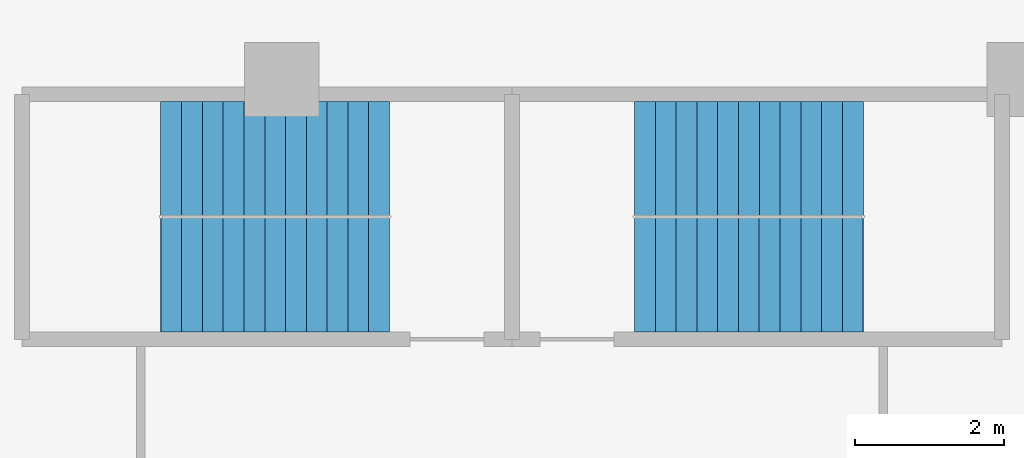
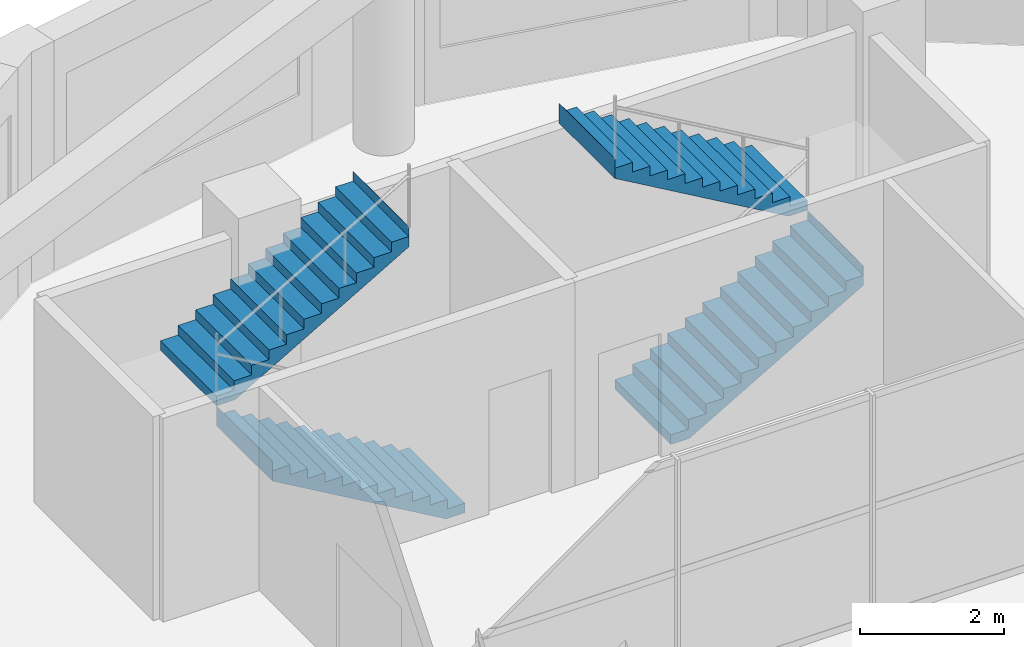
# One storey, part 9 of 11: 4 stair flights, 2 elements without a shape of their own.
"""IFC4 building model written with IfcOpenShell, lengths in metres."""

import ifcopenshell
import ifcopenshell.guid

model = None  # the IFC model being written
_history = None  # IfcOwnerHistory: only IFC2X3 demands one
_inside = {}  # id of a spatial element -> (the spatial element, [elements in it])
_under = {}  # id of a project, library or spatial element -> (it, [spatial elements below it])
_declared = {}  # id of a project -> (the project, [libraries it declares])
_typed = {}  # id of a type object -> (the type object, [elements of that type])
_made_of = {}  # id of a material, layer set ... -> (it, [elements and type objects made of it])


def new_model(schema):
    """Start an empty IFC model of exactly this schema.

    Asked for "IFC4X3", IfcOpenShell would pick the latest addendum, in which some entities
    have other attributes; the version numbers below select the first issue.
    IFC2X3 requires an IfcOwnerHistory on every rooted entity: one is made here for all.
    """
    global model, _history
    if schema == "IFC4X3":
        model = ifcopenshell.file(schema_version=(4, 3, 0, 0))
    else:
        model = ifcopenshell.file(schema=schema)
    _inside.clear()
    _under.clear()
    _declared.clear()
    _typed.clear()
    _made_of.clear()
    _history = None
    if model.schema == "IFC2X3":
        org = make("IfcOrganization", Name="unknown")
        user = make(
            "IfcPersonAndOrganization",
            ThePerson=make("IfcPerson", FamilyName="unknown"),
            TheOrganization=org,
        )
        app = make(
            "IfcApplication",
            ApplicationDeveloper=org,
            Version="unknown",
            ApplicationFullName="unknown",
            ApplicationIdentifier="unknown",
        )
        _history = make(
            "IfcOwnerHistory",
            OwningUser=user,
            OwningApplication=app,
            ChangeAction="ADDED",
            CreationDate=0,
        )
    return model


def make(cls, **values):
    """One entity of the class cls with the attributes given. An attribute that is None is left unset."""
    return model.create_entity(
        cls, **{name: value for name, value in values.items() if value is not None}
    )


def rooted(cls, **values):
    """An entity with a GlobalId (a new one), such as an element, a storey or a relation."""
    return make(cls, GlobalId=ifcopenshell.guid.new(), OwnerHistory=_history, **values)


def si_unit(unit_type, name, prefix=None):
    """IfcSIUnit, for example si_unit("LENGTHUNIT", "METRE", prefix="MILLI")."""
    return make("IfcSIUnit", UnitType=unit_type, Prefix=prefix, Name=name)


def assignment(units):
    """IfcUnitAssignment: the units of a project."""
    return None if units is None else make("IfcUnitAssignment", Units=units)


def point(xyz):
    """IfcCartesianPoint."""
    return None if xyz is None else make("IfcCartesianPoint", Coordinates=xyz)


def direction(xyz):
    """IfcDirection."""
    return None if xyz is None else make("IfcDirection", DirectionRatios=xyz)


def frame(location, z_axis=None, x_axis=None):
    """IfcAxis2Placement3D, a coordinate frame: its origin and axes. An axis left out is left unset."""
    return make(
        "IfcAxis2Placement3D",
        Location=point(location),
        Axis=direction(z_axis),
        RefDirection=direction(x_axis),
    )


def origin():
    """The frame at (0, 0, 0) with its axes left unset."""
    return frame((0.0, 0.0, 0.0))


def place(relative_to, where):
    """IfcLocalPlacement: puts the frame where relative to a parent placement (None: the world)."""
    return make(
        "IfcLocalPlacement", PlacementRelTo=relative_to, RelativePlacement=where
    )


def context(
    kind, dimensions, precision=None, world=None, true_north=None, identifier=None
):
    """IfcGeometricRepresentationContext, for example the 3D "Model" context."""
    return make(
        "IfcGeometricRepresentationContext",
        ContextIdentifier=identifier,
        ContextType=kind,
        CoordinateSpaceDimension=dimensions,
        Precision=precision,
        WorldCoordinateSystem=world,
        TrueNorth=true_north,
    )


def subcontext(parent, identifier, kind, view, scale=None):
    """IfcGeometricRepresentationSubContext, for example "Body" below "Model"."""
    return make(
        "IfcGeometricRepresentationSubContext",
        ContextIdentifier=identifier,
        ContextType=kind,
        ParentContext=parent,
        TargetScale=scale,
        TargetView=view,
    )


def project(units=None, contexts=None):
    """IfcProject with its units and contexts."""
    return rooted(
        "IfcProject",
        Name="project",
        RepresentationContexts=contexts,
        UnitsInContext=assignment(units),
    )


def spatial(cls, under=None, at=None, **own):
    """A site, building, storey or space (cls), placed at a placement, below another one or the project."""
    s = rooted(cls, ObjectPlacement=at, **own)
    if under is not None:
        _under.setdefault(under.id(), (under, []))[1].append(s)
    return s


def polyline(points):
    """IfcPolyline through the points."""
    return make("IfcPolyline", Points=[point(p) for p in points])


def outline(outer, holes=None, kind="AREA"):
    """IfcArbitraryClosedProfileDef: a profile drawn as a closed curve; with holes, ...WithVoids."""
    if holes is None:
        return make("IfcArbitraryClosedProfileDef", ProfileType=kind, OuterCurve=outer)
    return make(
        "IfcArbitraryProfileDefWithVoids",
        ProfileType=kind,
        OuterCurve=outer,
        InnerCurves=holes,
    )


def extrude(swept, where, along, depth):
    """IfcExtrudedAreaSolid: the profile swept, set in the frame where, extruded along a direction by depth."""
    return make(
        "IfcExtrudedAreaSolid",
        SweptArea=swept,
        Position=where,
        ExtrudedDirection=direction(along),
        Depth=depth,
    )


def shape(context_of_items, identifier, shape_type, items):
    """IfcShapeRepresentation: the items that make up one representation, for example the "Body"."""
    return make(
        "IfcShapeRepresentation",
        ContextOfItems=context_of_items,
        RepresentationIdentifier=identifier,
        RepresentationType=shape_type,
        Items=items,
    )


def material(Name=None, Category=None):
    """IfcMaterial."""
    return make("IfcMaterial", Name=Name, Category=Category)


def made_of(thing, what):
    """Note that an element or type object is made of a material, layer set ...; save() writes the relation."""
    if what is not None:
        _made_of.setdefault(what.id(), (what, []))[1].append(thing)
    return thing


def type_object(cls, material=None, **own):
    """A type object (cls), such as IfcWallType, which elements share."""
    return made_of(rooted(cls, **own), material)


def element(
    cls,
    number,
    at=None,
    inside=None,
    cuts=None,
    type_object=None,
    material=None,
    context=None,
    identifier="Body",
    shape_type=None,
    held_by="IfcProductDefinitionShape",
    body=None,
    shapes=None,
    **own,
):
    """One element of the class cls, such as IfcWall. Its Tag is "e" and its number.

    at: its placement. inside: the storey or other place that contains it. cuts: it is an
    opening in that element (IfcRelVoidsElement). A single representation is given by context,
    identifier, shape_type and body (its items); several are given by shapes. held_by: the class
    of the entity that holds the representations. save() writes the other relations.
    """
    e = rooted(cls, Tag="e%d" % number, ObjectPlacement=at, **own)
    if body is not None:
        shapes = [shape(context, identifier, shape_type, body)]
    if shapes is not None:
        e.Representation = make(held_by, Representations=shapes)
    if inside is not None:
        _inside.setdefault(inside.id(), (inside, []))[1].append(e)
    if cuts is not None:
        rooted(
            "IfcRelVoidsElement", RelatingBuildingElement=cuts, RelatedOpeningElement=e
        )
    if type_object is not None:
        _typed.setdefault(type_object.id(), (type_object, []))[1].append(e)
    return made_of(e, material)


def aggregate(whole, parts):
    """IfcRelAggregates: a whole, such as a stair, and the parts it consists of."""
    return rooted("IfcRelAggregates", RelatingObject=whole, RelatedObjects=parts)


def save(model, path):
    """Write the relations noted so far, then the file.

    IfcRelAggregates (storeys below a building ...), IfcRelContainedInSpatialStructure (elements
    in a storey), IfcRelDefinesByType, IfcRelAssociatesMaterial and IfcRelDeclares: one each for
    every whole, place, type object, material and project.
    """
    for whole, parts in _under.values():
        aggregate(whole, parts)
    for where, things in _inside.values():
        rooted(
            "IfcRelContainedInSpatialStructure",
            RelatedElements=things,
            RelatingStructure=where,
        )
    for kind, things in _typed.values():
        rooted("IfcRelDefinesByType", RelatedObjects=things, RelatingType=kind)
    for what, things in _made_of.values():
        rooted("IfcRelAssociatesMaterial", RelatedObjects=things, RelatingMaterial=what)
    for by, libraries in _declared.values():
        rooted("IfcRelDeclares", RelatingContext=by, RelatedDefinitions=libraries)
    model.write(path)


model = new_model("IFC4")

# Units and contexts
model_context = context("Model", 3, precision=1e-05, world=origin(), true_north=direction((0.0, 1.0)))
body_context = subcontext(model_context, "Body", "Model", "MODEL_VIEW")
ifc_project = project(units=[si_unit("LENGTHUNIT", "METRE"), si_unit("AREAUNIT", "SQUARE_METRE"), si_unit("VOLUMEUNIT", "CUBIC_METRE"), si_unit("PLANEANGLEUNIT", "RADIAN"), si_unit("MASSUNIT", "GRAM", prefix="KILO")], contexts=[model_context])

# Site, building, storey
site_placement = place(None, origin())
site = spatial("IfcSite", under=ifc_project, at=site_placement, CompositionType="ELEMENT")
building_placement = place(site_placement, origin())
building = spatial("IfcBuilding", under=site, at=building_placement, Name="Qaws Garden Tower", CompositionType="ELEMENT")
storey_placement = place(building_placement, frame((0.0, 0.0, 329.39990234375)))
storey = spatial("IfcBuildingStorey", under=building, at=storey_placement, Name="L80", CompositionType="ELEMENT", Elevation=329.39990234375)

# Stair, stair flights
ifc_material_1 = material(Name="Concrete C40", Category="concrete")
stair_type = type_object("IfcStairType", Name="Exit stair 1350", PredefinedType="HALF_TURN_STAIR", material=ifc_material_1)
placement = place(storey_placement, origin())
stair_1 = element("IfcStair", 1, at=placement, inside=storey, type_object=stair_type, Name="Stair 6", PredefinedType="HALF_TURN_STAIR")
ifc_material_2 = material(Name="Concrete C40", Category="concrete")
stair_flight_type = type_object("IfcStairFlightType", Name="Stair flight 1350", PredefinedType="STRAIGHT", material=ifc_material_2)
stair_flight_1_placement = place(storey_placement, frame((11.449951171875, 67.375, 0.0), z_axis=(0.0, 0.0, 1.0), x_axis=(-1.0, 0.0, 0.0)))
stair_flight_1 = element("IfcStairFlight", 2, at=stair_flight_1_placement, type_object=stair_flight_type, Name="ST6 flight 1", NumberOfRisers=12, NumberOfTreads=11, PredefinedType="STRAIGHT", RiserHeight=0.1625, TreadLength=0.28, context=body_context, shape_type="SweptSolid", body=[
    extrude(outline(polyline([(-0.0029296875, 0.0), (-0.0029296875, 0.16259765625), (0.0, 0.16259765625), (0.280029296875, 0.16259765625), (0.280029296875, 0.324951171875), (0.56005859375, 0.324951171875), (0.56005859375, 0.487548828125), (0.840087890625, 0.487548828125), (0.840087890625, 0.64990234375), (1.1201171875, 0.64990234375), (1.1201171875, 0.8125), (1.39990234375, 0.8125), (1.39990234375, 0.97509765625), (1.679931640625, 0.97509765625), (1.679931640625, 1.137451171875), (1.9599609375, 1.137451171875), (1.9599609375, 1.300048828125), (2.239990234375, 1.300048828125), (2.239990234375, 1.46240234375), (2.52001953125, 1.46240234375), (2.52001953125, 1.625), (2.800048828125, 1.625), (2.800048828125, 1.78759765625), (3.080078125, 1.78759765625), (3.080078125, 1.949951171875), (3.0830078125, 1.949951171875), (3.0830078125, 1.6142578125), (3.080078125, 1.6142578125), (0.298583984375, 0.0), (-0.0029296875, 0.0)])), frame((0.0, 0.77490234375, 0.0), z_axis=(0.0, -1.0, 0.0), x_axis=(1.0, 0.0, 0.0)), (0.0, 0.0, 1.0), 1.550048828125),
])
stair_flight_2_placement = place(storey_placement, frame((8.3701171875, 68.925048828125, 1.9501953125), z_axis=(0.0, 0.0, 1.0), x_axis=(1.0, 0.0, 0.0)))
stair_flight_2 = element("IfcStairFlight", 3, at=stair_flight_2_placement, type_object=stair_flight_type, Name="ST6 flight 2", NumberOfRisers=12, NumberOfTreads=11, PredefinedType="STRAIGHT", RiserHeight=0.1625, TreadLength=0.28, context=body_context, shape_type="SweptSolid", body=[
    extrude(outline(polyline([(-0.0029296875, 0.0), (-0.0029296875, 0.16259765625), (0.0, 0.16259765625), (0.280029296875, 0.16259765625), (0.280029296875, 0.324951171875), (0.56005859375, 0.324951171875), (0.56005859375, 0.487548828125), (0.840087890625, 0.487548828125), (0.840087890625, 0.64990234375), (1.1201171875, 0.64990234375), (1.1201171875, 0.8125), (1.39990234375, 0.8125), (1.39990234375, 0.97509765625), (1.679931640625, 0.97509765625), (1.679931640625, 1.137451171875), (1.9599609375, 1.137451171875), (1.9599609375, 1.300048828125), (2.239990234375, 1.300048828125), (2.239990234375, 1.46240234375), (2.52001953125, 1.46240234375), (2.52001953125, 1.625), (2.800048828125, 1.625), (2.800048828125, 1.78759765625), (3.080078125, 1.78759765625), (3.080078125, 1.949951171875), (3.0830078125, 1.949951171875), (3.0830078125, 1.6142578125), (3.080078125, 1.6142578125), (0.298583984375, 0.0), (-0.0029296875, 0.0)])), frame((0.0, 0.77490234375, 0.0), z_axis=(0.0, -1.0, 0.0), x_axis=(1.0, 0.0, 0.0)), (0.0, 0.0, 1.0), 1.550048828125),
])
aggregate(stair_1, [stair_flight_1, stair_flight_2])

stair_2 = element("IfcStair", 4, at=placement, inside=storey, type_object=stair_type, Name="Stair 7", PredefinedType="HALF_TURN_STAIR")
stair_flight_3_placement = place(storey_placement, frame((14.75, 67.375, 0.0), z_axis=(0.0, 0.0, 1.0), x_axis=(1.0, 0.0, 0.0)))
stair_flight_3 = element("IfcStairFlight", 5, at=stair_flight_3_placement, type_object=stair_flight_type, Name="ST7 flight 1", NumberOfRisers=12, NumberOfTreads=11, PredefinedType="STRAIGHT", RiserHeight=0.1625, TreadLength=0.28, context=body_context, shape_type="SweptSolid", body=[
    extrude(outline(polyline([(-0.0029296875, 0.0), (-0.0029296875, 0.16259765625), (0.0, 0.16259765625), (0.280029296875, 0.16259765625), (0.280029296875, 0.324951171875), (0.56005859375, 0.324951171875), (0.56005859375, 0.487548828125), (0.840087890625, 0.487548828125), (0.840087890625, 0.64990234375), (1.1201171875, 0.64990234375), (1.1201171875, 0.8125), (1.39990234375, 0.8125), (1.39990234375, 0.97509765625), (1.679931640625, 0.97509765625), (1.679931640625, 1.137451171875), (1.9599609375, 1.137451171875), (1.9599609375, 1.300048828125), (2.239990234375, 1.300048828125), (2.239990234375, 1.46240234375), (2.52001953125, 1.46240234375), (2.52001953125, 1.625), (2.800048828125, 1.625), (2.800048828125, 1.78759765625), (3.080078125, 1.78759765625), (3.080078125, 1.949951171875), (3.0830078125, 1.949951171875), (3.0830078125, 1.6142578125), (3.080078125, 1.6142578125), (0.298583984375, 0.0), (-0.0029296875, 0.0)])), frame((0.0, 0.77490234375, 0.0), z_axis=(0.0, -1.0, 0.0), x_axis=(1.0, 0.0, 0.0)), (0.0, 0.0, 1.0), 1.550048828125),
])
stair_flight_4_placement = place(storey_placement, frame((17.830078125, 68.925048828125, 1.9501953125), z_axis=(0.0, 0.0, 1.0), x_axis=(-1.0, 0.0, 0.0)))
stair_flight_4 = element("IfcStairFlight", 6, at=stair_flight_4_placement, type_object=stair_flight_type, Name="ST7 flight 2", NumberOfRisers=12, NumberOfTreads=11, PredefinedType="STRAIGHT", RiserHeight=0.1625, TreadLength=0.28, context=body_context, shape_type="SweptSolid", body=[
    extrude(outline(polyline([(-0.0029296875, 0.0), (-0.0029296875, 0.16259765625), (0.0, 0.16259765625), (0.280029296875, 0.16259765625), (0.280029296875, 0.324951171875), (0.56005859375, 0.324951171875), (0.56005859375, 0.487548828125), (0.840087890625, 0.487548828125), (0.840087890625, 0.64990234375), (1.1201171875, 0.64990234375), (1.1201171875, 0.8125), (1.39990234375, 0.8125), (1.39990234375, 0.97509765625), (1.679931640625, 0.97509765625), (1.679931640625, 1.137451171875), (1.9599609375, 1.137451171875), (1.9599609375, 1.300048828125), (2.239990234375, 1.300048828125), (2.239990234375, 1.46240234375), (2.52001953125, 1.46240234375), (2.52001953125, 1.625), (2.800048828125, 1.625), (2.800048828125, 1.78759765625), (3.080078125, 1.78759765625), (3.080078125, 1.949951171875), (3.0830078125, 1.949951171875), (3.0830078125, 1.6142578125), (3.080078125, 1.6142578125), (0.298583984375, 0.0), (-0.0029296875, 0.0)])), frame((0.0, 0.77490234375, 0.0), z_axis=(0.0, -1.0, 0.0), x_axis=(1.0, 0.0, 0.0)), (0.0, 0.0, 1.0), 1.550048828125),
])
aggregate(stair_2, [stair_flight_3, stair_flight_4])

save(model, "model.ifc")
